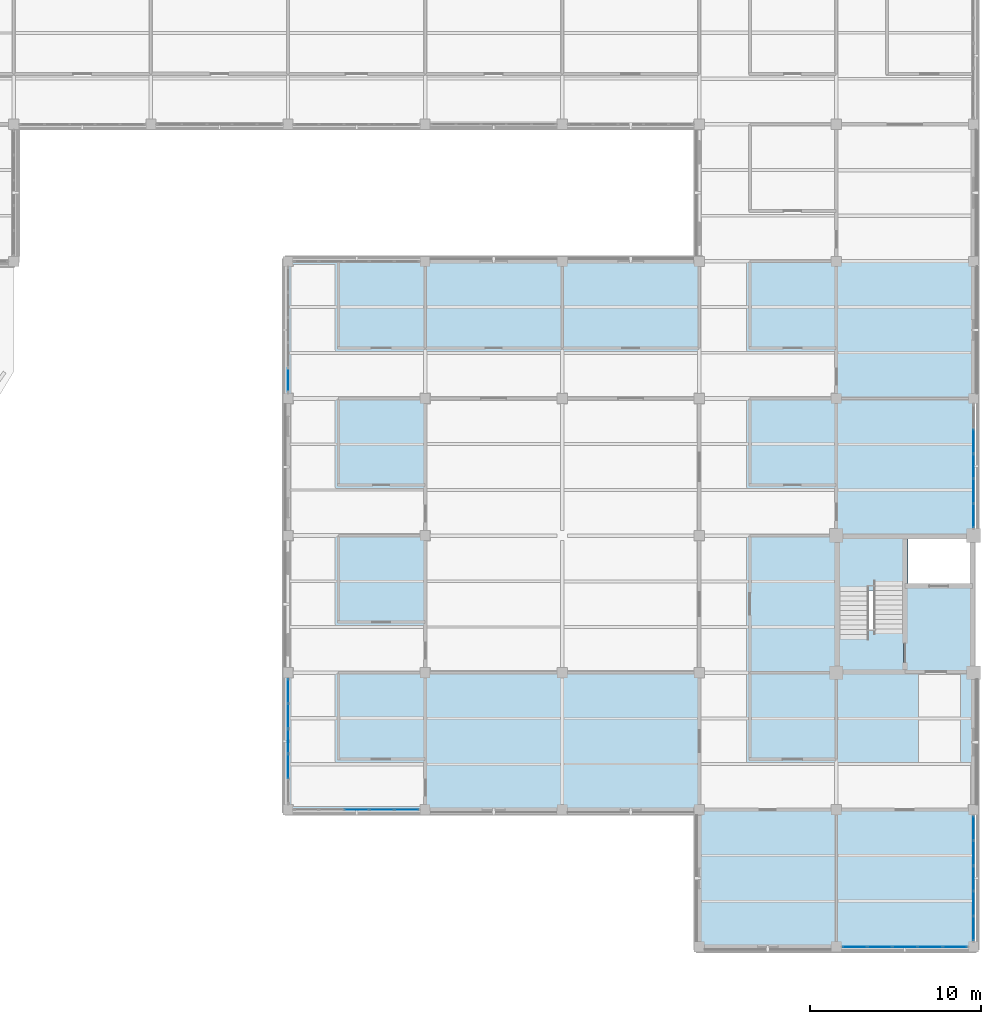
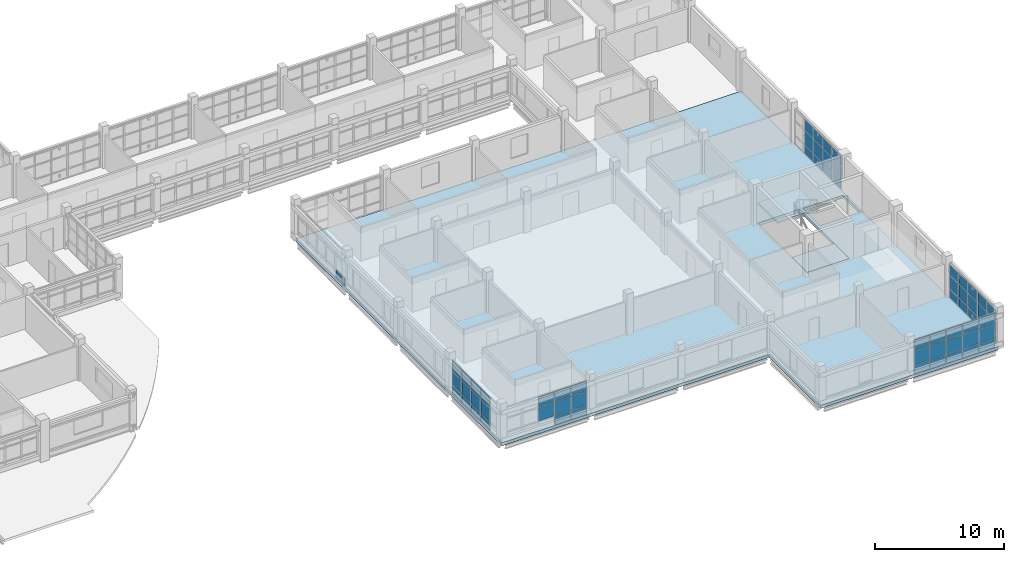
# One storey, part 77 of 126: 63 plates, 3 slabs, 7 elements without a shape of their own.
"""IFC4 building model written with IfcOpenShell, lengths in metres."""

from ifc_helpers import new_model, si_unit, derived_unit, direction, frame, origin, origin_2d, place, context, subcontext, project, spatial, polyline, rectangle, outline, extrude, material, layer, layer_set, type_object, element, aggregate, save


model = new_model("IFC4")

# Units and contexts
model_context = context("Model", 3, precision=1e-05, world=origin(), true_north=direction((0.0, 1.0)))
body_context = subcontext(model_context, "Body", "Model", "MODEL_VIEW")
ifc_project = project(units=[si_unit("LENGTHUNIT", "METRE"), si_unit("AREAUNIT", "SQUARE_METRE"), si_unit("VOLUMEUNIT", "CUBIC_METRE"), si_unit("PLANEANGLEUNIT", "RADIAN"), si_unit("MASSUNIT", "GRAM", prefix="KILO"), derived_unit("THERMALTRANSMITTANCEUNIT", [(si_unit("MASSUNIT", "GRAM", prefix="KILO"), 1), (si_unit("TIMEUNIT", "SECOND"), -3), (si_unit("THERMODYNAMICTEMPERATUREUNIT", "KELVIN"), -1)])], contexts=[model_context])

# Site, building, storey
site_placement = place(None, origin())
site = spatial("IfcSite", under=ifc_project, at=site_placement, CompositionType="ELEMENT")
building_placement = place(site_placement, origin())
building = spatial("IfcBuilding", under=site, at=building_placement, Name="Veyamyaing Civic Hall", CompositionType="ELEMENT")
storey_placement = place(building_placement, frame((0.0, 0.0, 9.89990234375)))
storey = spatial("IfcBuildingStorey", under=building, at=storey_placement, Name="L02", CompositionType="ELEMENT", Elevation=9.89990234375)

# Curtain wall, plate
ifc_material_1 = material(Name="Anodised aluminium 6063-T6", Category="aluminium")
ifc_layer_1 = layer(ifc_material_1, 0.159912109375, Name="Anodised aluminium 6063-T6")
ifc_layer_set_1 = layer_set([ifc_layer_1], Name="Anodised aluminium 6063-T6")
curtain_wall_type = type_object("IfcCurtainWallType", Name="CW-03", PredefinedType="NOTDEFINED", material=ifc_layer_set_1)
curtain_wall_1_placement = place(storey_placement, origin())
curtain_wall_1 = element("IfcCurtainWall", 1, at=curtain_wall_1_placement, inside=storey, type_object=curtain_wall_type, Name="Unitized curtain wall CW-03 L02 W 18.5", PredefinedType="NOTDEFINED")
ifc_material_2 = material(Name="Low-E insulated glass", Category="glass")
ifc_layer_2 = layer(ifc_material_2, 0.028076171875, Name="Low-E insulated glass")
ifc_layer_set_2 = layer_set([ifc_layer_2], Name="Low-E insulated glass")
plate_type_1 = type_object("IfcPlateType", Name="CWP-01", PredefinedType="CURTAIN_PANEL", material=ifc_layer_set_2)
plate_1_placement = place(storey_placement, frame((136.0, 33.080322265625, 0.06494140625), z_axis=(0.0, 0.0, 1.0), x_axis=(0.0, 1.0, 0.0)))
plate_1 = element("IfcPlate", 2, at=plate_1_placement, type_object=plate_type_1, Name="CW-03 panel 1.1", PredefinedType="CURTAIN_PANEL", context=body_context, shape_type="SweptSolid", body=[
    extrude(rectangle(XDim=1.37060546875, YDim=0.028076171875, at=origin_2d()), origin(), (0.0, 0.0, 1.0), 0.802490234375),
])
aggregate(curtain_wall_1, [plate_1])

# Curtain wall, plates
curtain_wall_2_placement = place(storey_placement, origin())
curtain_wall_2 = element("IfcCurtainWall", 3, at=curtain_wall_2_placement, inside=storey, type_object=curtain_wall_type, Name="Unitized curtain wall CW-03 L02 S 22.1", PredefinedType="NOTDEFINED")
plate_2_placement = place(storey_placement, frame((169.080322265625, 0.0, 0.06494140625), z_axis=(0.0, 0.0, 1.0), x_axis=(1.0, 0.0, 0.0)))
plate_2 = element("IfcPlate", 4, at=plate_2_placement, type_object=plate_type_1, Name="CW-03 panel 1.1", PredefinedType="CURTAIN_PANEL", context=body_context, shape_type="SweptSolid", body=[
    extrude(rectangle(XDim=1.37060546875, YDim=0.028076171875, at=origin_2d()), origin(), (0.0, 0.0, 1.0), 0.802490234375),
])
plate_3_placement = place(storey_placement, frame((169.080322265625, 0.0, 0.9326171875), z_axis=(0.0, 0.0, 1.0), x_axis=(1.0, 0.0, 0.0)))
plate_3 = element("IfcPlate", 5, at=plate_3_placement, type_object=plate_type_1, Name="CW-03 panel 1.2", PredefinedType="CURTAIN_PANEL", context=body_context, shape_type="SweptSolid", body=[
    extrude(rectangle(XDim=1.37060546875, YDim=0.028076171875, at=origin_2d()), origin(), (0.0, 0.0, 1.0), 1.31103515625),
])
plate_4_placement = place(storey_placement, frame((169.080322265625, 0.0, 2.30859375), z_axis=(0.0, 0.0, 1.0), x_axis=(1.0, 0.0, 0.0)))
plate_4 = element("IfcPlate", 6, at=plate_4_placement, type_object=plate_type_1, Name="CW-03 panel 1.3", PredefinedType="CURTAIN_PANEL", context=body_context, shape_type="SweptSolid", body=[
    extrude(rectangle(XDim=1.37060546875, YDim=0.028076171875, at=origin_2d()), origin(), (0.0, 0.0, 1.0), 0.973388671875),
])
plate_5_placement = place(storey_placement, frame((170.531982421875, 0.0, 0.06494140625), z_axis=(0.0, 0.0, 1.0), x_axis=(1.0, 0.0, 0.0)))
plate_5 = element("IfcPlate", 7, at=plate_5_placement, type_object=plate_type_1, Name="CW-03 panel 2.1", PredefinedType="CURTAIN_PANEL", context=body_context, shape_type="SweptSolid", body=[
    extrude(rectangle(XDim=1.403076171875, YDim=0.028076171875, at=origin_2d()), origin(), (0.0, 0.0, 1.0), 0.802490234375),
])
plate_6_placement = place(storey_placement, frame((170.531982421875, 0.0, 0.9326171875), z_axis=(0.0, 0.0, 1.0), x_axis=(1.0, 0.0, 0.0)))
plate_6 = element("IfcPlate", 8, at=plate_6_placement, type_object=plate_type_1, Name="CW-03 panel 2.2", PredefinedType="CURTAIN_PANEL", context=body_context, shape_type="SweptSolid", body=[
    extrude(rectangle(XDim=1.403076171875, YDim=0.028076171875, at=origin_2d()), origin(), (0.0, 0.0, 1.0), 1.31103515625),
])
plate_7_placement = place(storey_placement, frame((170.531982421875, 0.0, 2.30859375), z_axis=(0.0, 0.0, 1.0), x_axis=(1.0, 0.0, 0.0)))
plate_7 = element("IfcPlate", 9, at=plate_7_placement, type_object=plate_type_1, Name="CW-03 panel 2.3", PredefinedType="CURTAIN_PANEL", context=body_context, shape_type="SweptSolid", body=[
    extrude(rectangle(XDim=1.403076171875, YDim=0.028076171875, at=origin_2d()), origin(), (0.0, 0.0, 1.0), 0.973388671875),
])
plate_8_placement = place(storey_placement, frame((172.0, 0.0, 0.06494140625), z_axis=(0.0, 0.0, 1.0), x_axis=(1.0, 0.0, 0.0)))
plate_8 = element("IfcPlate", 10, at=plate_8_placement, type_object=plate_type_1, Name="CW-03 panel 3.1", PredefinedType="CURTAIN_PANEL", context=body_context, shape_type="SweptSolid", body=[
    extrude(rectangle(XDim=1.403076171875, YDim=0.028076171875, at=origin_2d()), origin(), (0.0, 0.0, 1.0), 0.802490234375),
])
plate_9_placement = place(storey_placement, frame((172.0, 0.0, 0.9326171875), z_axis=(0.0, 0.0, 1.0), x_axis=(1.0, 0.0, 0.0)))
plate_9 = element("IfcPlate", 11, at=plate_9_placement, type_object=plate_type_1, Name="CW-03 panel 3.2", PredefinedType="CURTAIN_PANEL", context=body_context, shape_type="SweptSolid", body=[
    extrude(rectangle(XDim=1.403076171875, YDim=0.028076171875, at=origin_2d()), origin(), (0.0, 0.0, 1.0), 1.31103515625),
])
plate_10_placement = place(storey_placement, frame((172.0, 0.0, 2.30859375), z_axis=(0.0, 0.0, 1.0), x_axis=(1.0, 0.0, 0.0)))
plate_10 = element("IfcPlate", 12, at=plate_10_placement, type_object=plate_type_1, Name="CW-03 panel 3.3", PredefinedType="CURTAIN_PANEL", context=body_context, shape_type="SweptSolid", body=[
    extrude(rectangle(XDim=1.403076171875, YDim=0.028076171875, at=origin_2d()), origin(), (0.0, 0.0, 1.0), 0.973388671875),
])
plate_11_placement = place(storey_placement, frame((173.468017578125, 0.0, 0.06494140625), z_axis=(0.0, 0.0, 1.0), x_axis=(1.0, 0.0, 0.0)))
plate_11 = element("IfcPlate", 13, at=plate_11_placement, type_object=plate_type_1, Name="CW-03 panel 4.1", PredefinedType="CURTAIN_PANEL", context=body_context, shape_type="SweptSolid", body=[
    extrude(rectangle(XDim=1.403076171875, YDim=0.028076171875, at=origin_2d()), origin(), (0.0, 0.0, 1.0), 0.802490234375),
])
plate_12_placement = place(storey_placement, frame((173.468017578125, 0.0, 0.9326171875), z_axis=(0.0, 0.0, 1.0), x_axis=(1.0, 0.0, 0.0)))
plate_12 = element("IfcPlate", 14, at=plate_12_placement, type_object=plate_type_1, Name="CW-03 panel 4.2", PredefinedType="CURTAIN_PANEL", context=body_context, shape_type="SweptSolid", body=[
    extrude(rectangle(XDim=1.403076171875, YDim=0.028076171875, at=origin_2d()), origin(), (0.0, 0.0, 1.0), 1.31103515625),
])
plate_13_placement = place(storey_placement, frame((173.468017578125, 0.0, 2.30859375), z_axis=(0.0, 0.0, 1.0), x_axis=(1.0, 0.0, 0.0)))
plate_13 = element("IfcPlate", 15, at=plate_13_placement, type_object=plate_type_1, Name="CW-03 panel 4.3", PredefinedType="CURTAIN_PANEL", context=body_context, shape_type="SweptSolid", body=[
    extrude(rectangle(XDim=1.403076171875, YDim=0.028076171875, at=origin_2d()), origin(), (0.0, 0.0, 1.0), 0.973388671875),
])
plate_14_placement = place(storey_placement, frame((174.919677734375, 0.0, 0.06494140625), z_axis=(0.0, 0.0, 1.0), x_axis=(1.0, 0.0, 0.0)))
plate_14 = element("IfcPlate", 16, at=plate_14_placement, type_object=plate_type_1, Name="CW-03 panel 5.1", PredefinedType="CURTAIN_PANEL", context=body_context, shape_type="SweptSolid", body=[
    extrude(rectangle(XDim=1.37060546875, YDim=0.028076171875, at=origin_2d()), origin(), (0.0, 0.0, 1.0), 0.802490234375),
])
plate_15_placement = place(storey_placement, frame((174.919677734375, 0.0, 0.9326171875), z_axis=(0.0, 0.0, 1.0), x_axis=(1.0, 0.0, 0.0)))
plate_15 = element("IfcPlate", 17, at=plate_15_placement, type_object=plate_type_1, Name="CW-03 panel 5.2", PredefinedType="CURTAIN_PANEL", context=body_context, shape_type="SweptSolid", body=[
    extrude(rectangle(XDim=1.37060546875, YDim=0.028076171875, at=origin_2d()), origin(), (0.0, 0.0, 1.0), 1.31103515625),
])
plate_16_placement = place(storey_placement, frame((174.919677734375, 0.0, 2.30859375), z_axis=(0.0, 0.0, 1.0), x_axis=(1.0, 0.0, 0.0)))
plate_16 = element("IfcPlate", 18, at=plate_16_placement, type_object=plate_type_1, Name="CW-03 panel 5.3", PredefinedType="CURTAIN_PANEL", context=body_context, shape_type="SweptSolid", body=[
    extrude(rectangle(XDim=1.37060546875, YDim=0.028076171875, at=origin_2d()), origin(), (0.0, 0.0, 1.0), 0.973388671875),
])
aggregate(curtain_wall_2, [plate_2, plate_3, plate_4, plate_5, plate_6, plate_7, plate_8, plate_9, plate_10, plate_11, plate_12, plate_13, plate_14, plate_15, plate_16])

curtain_wall_3_placement = place(storey_placement, origin())
curtain_wall_3 = element("IfcCurtainWall", 19, at=curtain_wall_3_placement, inside=storey, type_object=curtain_wall_type, Name="Unitized curtain wall CW-03 L02 E 22.1", PredefinedType="NOTDEFINED")
plate_17_placement = place(storey_placement, frame((176.0, 1.080322265625, 0.06494140625), z_axis=(0.0, 0.0, 1.0), x_axis=(0.0, 1.0, 0.0)))
plate_17 = element("IfcPlate", 20, at=plate_17_placement, type_object=plate_type_1, Name="CW-03 panel 1.1", PredefinedType="CURTAIN_PANEL", context=body_context, shape_type="SweptSolid", body=[
    extrude(rectangle(XDim=1.37060546875, YDim=0.028076171875, at=origin_2d()), origin(), (0.0, 0.0, 1.0), 0.802490234375),
])
plate_18_placement = place(storey_placement, frame((176.0, 1.080322265625, 0.9326171875), z_axis=(0.0, 0.0, 1.0), x_axis=(0.0, 1.0, 0.0)))
plate_18 = element("IfcPlate", 21, at=plate_18_placement, type_object=plate_type_1, Name="CW-03 panel 1.2", PredefinedType="CURTAIN_PANEL", context=body_context, shape_type="SweptSolid", body=[
    extrude(rectangle(XDim=1.37060546875, YDim=0.028076171875, at=origin_2d()), origin(), (0.0, 0.0, 1.0), 1.265380859375),
])
plate_19_placement = place(storey_placement, frame((176.0, 1.080322265625, 2.262939453125), z_axis=(0.0, 0.0, 1.0), x_axis=(0.0, 1.0, 0.0)))
plate_19 = element("IfcPlate", 22, at=plate_19_placement, type_object=plate_type_1, Name="CW-03 panel 1.3", PredefinedType="CURTAIN_PANEL", context=body_context, shape_type="SweptSolid", body=[
    extrude(rectangle(XDim=1.37060546875, YDim=0.028076171875, at=origin_2d()), origin(), (0.0, 0.0, 1.0), 0.9521484375),
])
plate_20_placement = place(storey_placement, frame((176.0, 2.531982421875, 0.06494140625), z_axis=(0.0, 0.0, 1.0), x_axis=(0.0, 1.0, 0.0)))
plate_20 = element("IfcPlate", 23, at=plate_20_placement, type_object=plate_type_1, Name="CW-03 panel 2.1", PredefinedType="CURTAIN_PANEL", context=body_context, shape_type="SweptSolid", body=[
    extrude(rectangle(XDim=1.403076171875, YDim=0.028076171875, at=origin_2d()), origin(), (0.0, 0.0, 1.0), 0.802490234375),
])
plate_21_placement = place(storey_placement, frame((176.0, 2.531982421875, 0.9326171875), z_axis=(0.0, 0.0, 1.0), x_axis=(0.0, 1.0, 0.0)))
plate_21 = element("IfcPlate", 24, at=plate_21_placement, type_object=plate_type_1, Name="CW-03 panel 2.2", PredefinedType="CURTAIN_PANEL", context=body_context, shape_type="SweptSolid", body=[
    extrude(rectangle(XDim=1.403076171875, YDim=0.028076171875, at=origin_2d()), origin(), (0.0, 0.0, 1.0), 1.265380859375),
])
plate_22_placement = place(storey_placement, frame((176.0, 2.531982421875, 2.262939453125), z_axis=(0.0, 0.0, 1.0), x_axis=(0.0, 1.0, 0.0)))
plate_22 = element("IfcPlate", 25, at=plate_22_placement, type_object=plate_type_1, Name="CW-03 panel 2.3", PredefinedType="CURTAIN_PANEL", context=body_context, shape_type="SweptSolid", body=[
    extrude(rectangle(XDim=1.403076171875, YDim=0.028076171875, at=origin_2d()), origin(), (0.0, 0.0, 1.0), 0.9521484375),
])
plate_23_placement = place(storey_placement, frame((176.0, 4.0, 0.06494140625), z_axis=(0.0, 0.0, 1.0), x_axis=(0.0, 1.0, 0.0)))
plate_23 = element("IfcPlate", 26, at=plate_23_placement, type_object=plate_type_1, Name="CW-03 panel 3.1", PredefinedType="CURTAIN_PANEL", context=body_context, shape_type="SweptSolid", body=[
    extrude(rectangle(XDim=1.403076171875, YDim=0.028076171875, at=origin_2d()), origin(), (0.0, 0.0, 1.0), 0.802490234375),
])
plate_24_placement = place(storey_placement, frame((176.0, 4.0, 0.9326171875), z_axis=(0.0, 0.0, 1.0), x_axis=(0.0, 1.0, 0.0)))
plate_24 = element("IfcPlate", 27, at=plate_24_placement, type_object=plate_type_1, Name="CW-03 panel 3.2", PredefinedType="CURTAIN_PANEL", context=body_context, shape_type="SweptSolid", body=[
    extrude(rectangle(XDim=1.403076171875, YDim=0.028076171875, at=origin_2d()), origin(), (0.0, 0.0, 1.0), 1.265380859375),
])
plate_25_placement = place(storey_placement, frame((176.0, 4.0, 2.262939453125), z_axis=(0.0, 0.0, 1.0), x_axis=(0.0, 1.0, 0.0)))
plate_25 = element("IfcPlate", 28, at=plate_25_placement, type_object=plate_type_1, Name="CW-03 panel 3.3", PredefinedType="CURTAIN_PANEL", context=body_context, shape_type="SweptSolid", body=[
    extrude(rectangle(XDim=1.403076171875, YDim=0.028076171875, at=origin_2d()), origin(), (0.0, 0.0, 1.0), 0.9521484375),
])
plate_26_placement = place(storey_placement, frame((176.0, 5.468017578125, 0.06494140625), z_axis=(0.0, 0.0, 1.0), x_axis=(0.0, 1.0, 0.0)))
plate_26 = element("IfcPlate", 29, at=plate_26_placement, type_object=plate_type_1, Name="CW-03 panel 4.1", PredefinedType="CURTAIN_PANEL", context=body_context, shape_type="SweptSolid", body=[
    extrude(rectangle(XDim=1.403076171875, YDim=0.028076171875, at=origin_2d()), origin(), (0.0, 0.0, 1.0), 0.802490234375),
])
plate_27_placement = place(storey_placement, frame((176.0, 5.468017578125, 0.9326171875), z_axis=(0.0, 0.0, 1.0), x_axis=(0.0, 1.0, 0.0)))
plate_27 = element("IfcPlate", 30, at=plate_27_placement, type_object=plate_type_1, Name="CW-03 panel 4.2", PredefinedType="CURTAIN_PANEL", context=body_context, shape_type="SweptSolid", body=[
    extrude(rectangle(XDim=1.403076171875, YDim=0.028076171875, at=origin_2d()), origin(), (0.0, 0.0, 1.0), 1.265380859375),
])
plate_28_placement = place(storey_placement, frame((176.0, 5.468017578125, 2.262939453125), z_axis=(0.0, 0.0, 1.0), x_axis=(0.0, 1.0, 0.0)))
plate_28 = element("IfcPlate", 31, at=plate_28_placement, type_object=plate_type_1, Name="CW-03 panel 4.3", PredefinedType="CURTAIN_PANEL", context=body_context, shape_type="SweptSolid", body=[
    extrude(rectangle(XDim=1.403076171875, YDim=0.028076171875, at=origin_2d()), origin(), (0.0, 0.0, 1.0), 0.9521484375),
])
plate_29_placement = place(storey_placement, frame((176.0, 6.919677734375, 0.06494140625), z_axis=(0.0, 0.0, 1.0), x_axis=(0.0, 1.0, 0.0)))
plate_29 = element("IfcPlate", 32, at=plate_29_placement, type_object=plate_type_1, Name="CW-03 panel 5.1", PredefinedType="CURTAIN_PANEL", context=body_context, shape_type="SweptSolid", body=[
    extrude(rectangle(XDim=1.37060546875, YDim=0.028076171875, at=origin_2d()), origin(), (0.0, 0.0, 1.0), 0.802490234375),
])
plate_30_placement = place(storey_placement, frame((176.0, 6.919677734375, 0.9326171875), z_axis=(0.0, 0.0, 1.0), x_axis=(0.0, 1.0, 0.0)))
plate_30 = element("IfcPlate", 33, at=plate_30_placement, type_object=plate_type_1, Name="CW-03 panel 5.2", PredefinedType="CURTAIN_PANEL", context=body_context, shape_type="SweptSolid", body=[
    extrude(rectangle(XDim=1.37060546875, YDim=0.028076171875, at=origin_2d()), origin(), (0.0, 0.0, 1.0), 1.265380859375),
])
plate_31_placement = place(storey_placement, frame((176.0, 6.919677734375, 2.262939453125), z_axis=(0.0, 0.0, 1.0), x_axis=(0.0, 1.0, 0.0)))
plate_31 = element("IfcPlate", 34, at=plate_31_placement, type_object=plate_type_1, Name="CW-03 panel 5.3", PredefinedType="CURTAIN_PANEL", context=body_context, shape_type="SweptSolid", body=[
    extrude(rectangle(XDim=1.37060546875, YDim=0.028076171875, at=origin_2d()), origin(), (0.0, 0.0, 1.0), 0.9521484375),
])
aggregate(curtain_wall_3, [plate_17, plate_18, plate_19, plate_20, plate_21, plate_22, plate_23, plate_24, plate_25, plate_26, plate_27, plate_28, plate_29, plate_30, plate_31])

curtain_wall_4_placement = place(storey_placement, origin())
curtain_wall_4 = element("IfcCurtainWall", 35, at=curtain_wall_4_placement, inside=storey, type_object=curtain_wall_type, Name="Unitized curtain wall CW-03 L02 S 18.2", PredefinedType="NOTDEFINED")
ifc_layer_3 = layer(ifc_material_2, 0.02392578125, Name="Low-E insulated glass")
ifc_layer_set_3 = layer_set([ifc_layer_3], Name="Low-E insulated glass")
plate_type_2 = type_object("IfcPlateType", Name="CWP-04", PredefinedType="CURTAIN_PANEL", material=ifc_layer_set_3)
plate_32_placement = place(storey_placement, frame((140.0, 8.0, 0.9326171875), z_axis=(0.0, 0.0, 1.0), x_axis=(1.0, 0.0, 0.0)))
plate_32 = element("IfcPlate", 36, at=plate_32_placement, type_object=plate_type_2, Name="CW-03 panel 3.2", PredefinedType="CURTAIN_PANEL", context=body_context, shape_type="SweptSolid", body=[
    extrude(rectangle(XDim=1.403076171875, YDim=0.02392578125, at=origin_2d()), origin(), (0.0, 0.0, 1.0), 1.265380859375),
])
plate_33_placement = place(storey_placement, frame((140.0, 8.0, 2.262939453125), z_axis=(0.0, 0.0, 1.0), x_axis=(1.0, 0.0, 0.0)))
plate_33 = element("IfcPlate", 37, at=plate_33_placement, type_object=plate_type_2, Name="CW-03 panel 3.3", PredefinedType="CURTAIN_PANEL", context=body_context, shape_type="SweptSolid", body=[
    extrude(rectangle(XDim=1.403076171875, YDim=0.02392578125, at=origin_2d()), origin(), (0.0, 0.0, 1.0), 0.9521484375),
])
plate_34_placement = place(storey_placement, frame((141.468017578125, 8.0, 0.06494140625), z_axis=(0.0, 0.0, 1.0), x_axis=(1.0, 0.0, 0.0)))
plate_34 = element("IfcPlate", 38, at=plate_34_placement, type_object=plate_type_2, Name="CW-03 panel 4.1", PredefinedType="CURTAIN_PANEL", context=body_context, shape_type="SweptSolid", body=[
    extrude(rectangle(XDim=1.403076171875, YDim=0.02392578125, at=origin_2d()), origin(), (0.0, 0.0, 1.0), 0.802490234375),
])
plate_35_placement = place(storey_placement, frame((141.468017578125, 8.0, 0.9326171875), z_axis=(0.0, 0.0, 1.0), x_axis=(1.0, 0.0, 0.0)))
plate_35 = element("IfcPlate", 39, at=plate_35_placement, type_object=plate_type_2, Name="CW-03 panel 4.2", PredefinedType="CURTAIN_PANEL", context=body_context, shape_type="SweptSolid", body=[
    extrude(rectangle(XDim=1.403076171875, YDim=0.02392578125, at=origin_2d()), origin(), (0.0, 0.0, 1.0), 1.265380859375),
])
plate_36_placement = place(storey_placement, frame((141.468017578125, 8.0, 2.262939453125), z_axis=(0.0, 0.0, 1.0), x_axis=(1.0, 0.0, 0.0)))
plate_36 = element("IfcPlate", 40, at=plate_36_placement, type_object=plate_type_2, Name="CW-03 panel 4.3", PredefinedType="CURTAIN_PANEL", context=body_context, shape_type="SweptSolid", body=[
    extrude(rectangle(XDim=1.403076171875, YDim=0.02392578125, at=origin_2d()), origin(), (0.0, 0.0, 1.0), 0.9521484375),
])
plate_37_placement = place(storey_placement, frame((142.919677734375, 8.0, 0.06494140625), z_axis=(0.0, 0.0, 1.0), x_axis=(1.0, 0.0, 0.0)))
plate_37 = element("IfcPlate", 41, at=plate_37_placement, type_object=plate_type_2, Name="CW-03 panel 5.1", PredefinedType="CURTAIN_PANEL", context=body_context, shape_type="SweptSolid", body=[
    extrude(rectangle(XDim=1.37060546875, YDim=0.02392578125, at=origin_2d()), origin(), (0.0, 0.0, 1.0), 0.802490234375),
])
plate_38_placement = place(storey_placement, frame((142.919677734375, 8.0, 0.9326171875), z_axis=(0.0, 0.0, 1.0), x_axis=(1.0, 0.0, 0.0)))
plate_38 = element("IfcPlate", 42, at=plate_38_placement, type_object=plate_type_2, Name="CW-03 panel 5.2", PredefinedType="CURTAIN_PANEL", context=body_context, shape_type="SweptSolid", body=[
    extrude(rectangle(XDim=1.37060546875, YDim=0.02392578125, at=origin_2d()), origin(), (0.0, 0.0, 1.0), 1.265380859375),
])
plate_39_placement = place(storey_placement, frame((142.919677734375, 8.0, 2.262939453125), z_axis=(0.0, 0.0, 1.0), x_axis=(1.0, 0.0, 0.0)))
plate_39 = element("IfcPlate", 43, at=plate_39_placement, type_object=plate_type_2, Name="CW-03 panel 5.3", PredefinedType="CURTAIN_PANEL", context=body_context, shape_type="SweptSolid", body=[
    extrude(rectangle(XDim=1.37060546875, YDim=0.02392578125, at=origin_2d()), origin(), (0.0, 0.0, 1.0), 0.9521484375),
])
aggregate(curtain_wall_4, [plate_32, plate_33, plate_34, plate_35, plate_36, plate_37, plate_38, plate_39])

curtain_wall_5_placement = place(storey_placement, origin())
curtain_wall_5 = element("IfcCurtainWall", 44, at=curtain_wall_5_placement, inside=storey, type_object=curtain_wall_type, Name="Unitized curtain wall CW-03 L02 W 18.2", PredefinedType="NOTDEFINED")
plate_40_placement = place(storey_placement, frame((136.0, 10.531982421875, 0.06494140625), z_axis=(0.0, 0.0, 1.0), x_axis=(0.0, 1.0, 0.0)))
plate_40 = element("IfcPlate", 45, at=plate_40_placement, type_object=plate_type_2, Name="CW-03 panel 2.1", PredefinedType="CURTAIN_PANEL", context=body_context, shape_type="SweptSolid", body=[
    extrude(rectangle(XDim=1.403076171875, YDim=0.02392578125, at=origin_2d()), origin(), (0.0, 0.0, 1.0), 0.802490234375),
])
plate_41_placement = place(storey_placement, frame((136.0, 10.531982421875, 0.9326171875), z_axis=(0.0, 0.0, 1.0), x_axis=(0.0, 1.0, 0.0)))
plate_41 = element("IfcPlate", 46, at=plate_41_placement, type_object=plate_type_2, Name="CW-03 panel 2.2", PredefinedType="CURTAIN_PANEL", context=body_context, shape_type="SweptSolid", body=[
    extrude(rectangle(XDim=1.403076171875, YDim=0.02392578125, at=origin_2d()), origin(), (0.0, 0.0, 1.0), 1.265380859375),
])
plate_42_placement = place(storey_placement, frame((136.0, 10.531982421875, 2.262939453125), z_axis=(0.0, 0.0, 1.0), x_axis=(0.0, 1.0, 0.0)))
plate_42 = element("IfcPlate", 47, at=plate_42_placement, type_object=plate_type_2, Name="CW-03 panel 2.3", PredefinedType="CURTAIN_PANEL", context=body_context, shape_type="SweptSolid", body=[
    extrude(rectangle(XDim=1.403076171875, YDim=0.02392578125, at=origin_2d()), origin(), (0.0, 0.0, 1.0), 0.9521484375),
])
plate_43_placement = place(storey_placement, frame((136.0, 12.0, 0.06494140625), z_axis=(0.0, 0.0, 1.0), x_axis=(0.0, 1.0, 0.0)))
plate_43 = element("IfcPlate", 48, at=plate_43_placement, type_object=plate_type_2, Name="CW-03 panel 3.1", PredefinedType="CURTAIN_PANEL", context=body_context, shape_type="SweptSolid", body=[
    extrude(rectangle(XDim=1.403076171875, YDim=0.02392578125, at=origin_2d()), origin(), (0.0, 0.0, 1.0), 0.802490234375),
])
plate_44_placement = place(storey_placement, frame((136.0, 12.0, 0.9326171875), z_axis=(0.0, 0.0, 1.0), x_axis=(0.0, 1.0, 0.0)))
plate_44 = element("IfcPlate", 49, at=plate_44_placement, type_object=plate_type_2, Name="CW-03 panel 3.2", PredefinedType="CURTAIN_PANEL", context=body_context, shape_type="SweptSolid", body=[
    extrude(rectangle(XDim=1.403076171875, YDim=0.02392578125, at=origin_2d()), origin(), (0.0, 0.0, 1.0), 1.265380859375),
])
plate_45_placement = place(storey_placement, frame((136.0, 12.0, 2.262939453125), z_axis=(0.0, 0.0, 1.0), x_axis=(0.0, 1.0, 0.0)))
plate_45 = element("IfcPlate", 50, at=plate_45_placement, type_object=plate_type_2, Name="CW-03 panel 3.3", PredefinedType="CURTAIN_PANEL", context=body_context, shape_type="SweptSolid", body=[
    extrude(rectangle(XDim=1.403076171875, YDim=0.02392578125, at=origin_2d()), origin(), (0.0, 0.0, 1.0), 0.9521484375),
])
plate_46_placement = place(storey_placement, frame((136.0, 13.468017578125, 0.06494140625), z_axis=(0.0, 0.0, 1.0), x_axis=(0.0, 1.0, 0.0)))
plate_46 = element("IfcPlate", 51, at=plate_46_placement, type_object=plate_type_2, Name="CW-03 panel 4.1", PredefinedType="CURTAIN_PANEL", context=body_context, shape_type="SweptSolid", body=[
    extrude(rectangle(XDim=1.403076171875, YDim=0.02392578125, at=origin_2d()), origin(), (0.0, 0.0, 1.0), 0.802490234375),
])
plate_47_placement = place(storey_placement, frame((136.0, 13.468017578125, 0.9326171875), z_axis=(0.0, 0.0, 1.0), x_axis=(0.0, 1.0, 0.0)))
plate_47 = element("IfcPlate", 52, at=plate_47_placement, type_object=plate_type_2, Name="CW-03 panel 4.2", PredefinedType="CURTAIN_PANEL", context=body_context, shape_type="SweptSolid", body=[
    extrude(rectangle(XDim=1.403076171875, YDim=0.02392578125, at=origin_2d()), origin(), (0.0, 0.0, 1.0), 1.265380859375),
])
plate_48_placement = place(storey_placement, frame((136.0, 13.468017578125, 2.262939453125), z_axis=(0.0, 0.0, 1.0), x_axis=(0.0, 1.0, 0.0)))
plate_48 = element("IfcPlate", 53, at=plate_48_placement, type_object=plate_type_2, Name="CW-03 panel 4.3", PredefinedType="CURTAIN_PANEL", context=body_context, shape_type="SweptSolid", body=[
    extrude(rectangle(XDim=1.403076171875, YDim=0.02392578125, at=origin_2d()), origin(), (0.0, 0.0, 1.0), 0.9521484375),
])
plate_49_placement = place(storey_placement, frame((136.0, 14.919677734375, 0.06494140625), z_axis=(0.0, 0.0, 1.0), x_axis=(0.0, 1.0, 0.0)))
plate_49 = element("IfcPlate", 54, at=plate_49_placement, type_object=plate_type_2, Name="CW-03 panel 5.1", PredefinedType="CURTAIN_PANEL", context=body_context, shape_type="SweptSolid", body=[
    extrude(rectangle(XDim=1.37060546875, YDim=0.02392578125, at=origin_2d()), origin(), (0.0, 0.0, 1.0), 0.802490234375),
])
plate_50_placement = place(storey_placement, frame((136.0, 14.919677734375, 0.9326171875), z_axis=(0.0, 0.0, 1.0), x_axis=(0.0, 1.0, 0.0)))
plate_50 = element("IfcPlate", 55, at=plate_50_placement, type_object=plate_type_2, Name="CW-03 panel 5.2", PredefinedType="CURTAIN_PANEL", context=body_context, shape_type="SweptSolid", body=[
    extrude(rectangle(XDim=1.37060546875, YDim=0.02392578125, at=origin_2d()), origin(), (0.0, 0.0, 1.0), 1.265380859375),
])
plate_51_placement = place(storey_placement, frame((136.0, 14.919677734375, 2.262939453125), z_axis=(0.0, 0.0, 1.0), x_axis=(0.0, 1.0, 0.0)))
plate_51 = element("IfcPlate", 56, at=plate_51_placement, type_object=plate_type_2, Name="CW-03 panel 5.3", PredefinedType="CURTAIN_PANEL", context=body_context, shape_type="SweptSolid", body=[
    extrude(rectangle(XDim=1.37060546875, YDim=0.02392578125, at=origin_2d()), origin(), (0.0, 0.0, 1.0), 0.9521484375),
])
aggregate(curtain_wall_5, [plate_40, plate_41, plate_42, plate_43, plate_44, plate_45, plate_46, plate_47, plate_48, plate_49, plate_50, plate_51])

curtain_wall_6_placement = place(storey_placement, origin())
curtain_wall_6 = element("IfcCurtainWall", 57, at=curtain_wall_6_placement, inside=storey, type_object=curtain_wall_type, Name="Unitized curtain wall CW-03 L02 E 22.4", PredefinedType="NOTDEFINED")
plate_52_placement = place(storey_placement, frame((176.0, 25.170166015625, 0.06494140625), z_axis=(0.0, 0.0, 1.0), x_axis=(0.0, 1.0, 0.0)))
plate_52 = element("IfcPlate", 58, at=plate_52_placement, type_object=plate_type_2, Name="CW-03 panel 1.1", PredefinedType="CURTAIN_PANEL", context=body_context, shape_type="SweptSolid", body=[
    extrude(rectangle(XDim=1.3505859375, YDim=0.02392578125, at=origin_2d()), origin(), (0.0, 0.0, 1.0), 0.802490234375),
])
plate_53_placement = place(storey_placement, frame((176.0, 25.170166015625, 0.9326171875), z_axis=(0.0, 0.0, 1.0), x_axis=(0.0, 1.0, 0.0)))
plate_53 = element("IfcPlate", 59, at=plate_53_placement, type_object=plate_type_2, Name="CW-03 panel 1.2", PredefinedType="CURTAIN_PANEL", context=body_context, shape_type="SweptSolid", body=[
    extrude(rectangle(XDim=1.3505859375, YDim=0.02392578125, at=origin_2d()), origin(), (0.0, 0.0, 1.0), 1.31103515625),
])
plate_54_placement = place(storey_placement, frame((176.0, 25.170166015625, 2.30859375), z_axis=(0.0, 0.0, 1.0), x_axis=(0.0, 1.0, 0.0)))
plate_54 = element("IfcPlate", 60, at=plate_54_placement, type_object=plate_type_2, Name="CW-03 panel 1.3", PredefinedType="CURTAIN_PANEL", context=body_context, shape_type="SweptSolid", body=[
    extrude(rectangle(XDim=1.3505859375, YDim=0.02392578125, at=origin_2d()), origin(), (0.0, 0.0, 1.0), 0.973388671875),
])
plate_55_placement = place(storey_placement, frame((176.0, 26.60205078125, 0.06494140625), z_axis=(0.0, 0.0, 1.0), x_axis=(0.0, 1.0, 0.0)))
plate_55 = element("IfcPlate", 61, at=plate_55_placement, type_object=plate_type_2, Name="CW-03 panel 2.1", PredefinedType="CURTAIN_PANEL", context=body_context, shape_type="SweptSolid", body=[
    extrude(rectangle(XDim=1.383056640625, YDim=0.02392578125, at=origin_2d()), origin(), (0.0, 0.0, 1.0), 0.802490234375),
])
plate_56_placement = place(storey_placement, frame((176.0, 26.60205078125, 0.9326171875), z_axis=(0.0, 0.0, 1.0), x_axis=(0.0, 1.0, 0.0)))
plate_56 = element("IfcPlate", 62, at=plate_56_placement, type_object=plate_type_2, Name="CW-03 panel 2.2", PredefinedType="CURTAIN_PANEL", context=body_context, shape_type="SweptSolid", body=[
    extrude(rectangle(XDim=1.383056640625, YDim=0.02392578125, at=origin_2d()), origin(), (0.0, 0.0, 1.0), 1.31103515625),
])
plate_57_placement = place(storey_placement, frame((176.0, 26.60205078125, 2.30859375), z_axis=(0.0, 0.0, 1.0), x_axis=(0.0, 1.0, 0.0)))
plate_57 = element("IfcPlate", 63, at=plate_57_placement, type_object=plate_type_2, Name="CW-03 panel 2.3", PredefinedType="CURTAIN_PANEL", context=body_context, shape_type="SweptSolid", body=[
    extrude(rectangle(XDim=1.383056640625, YDim=0.02392578125, at=origin_2d()), origin(), (0.0, 0.0, 1.0), 0.973388671875),
])
plate_58_placement = place(storey_placement, frame((176.0, 28.050048828125, 0.06494140625), z_axis=(0.0, 0.0, 1.0), x_axis=(0.0, 1.0, 0.0)))
plate_58 = element("IfcPlate", 64, at=plate_58_placement, type_object=plate_type_2, Name="CW-03 panel 3.1", PredefinedType="CURTAIN_PANEL", context=body_context, shape_type="SweptSolid", body=[
    extrude(rectangle(XDim=1.383056640625, YDim=0.02392578125, at=origin_2d()), origin(), (0.0, 0.0, 1.0), 0.802490234375),
])
plate_59_placement = place(storey_placement, frame((176.0, 28.050048828125, 0.9326171875), z_axis=(0.0, 0.0, 1.0), x_axis=(0.0, 1.0, 0.0)))
plate_59 = element("IfcPlate", 65, at=plate_59_placement, type_object=plate_type_2, Name="CW-03 panel 3.2", PredefinedType="CURTAIN_PANEL", context=body_context, shape_type="SweptSolid", body=[
    extrude(rectangle(XDim=1.383056640625, YDim=0.02392578125, at=origin_2d()), origin(), (0.0, 0.0, 1.0), 1.31103515625),
])
plate_60_placement = place(storey_placement, frame((176.0, 28.050048828125, 2.30859375), z_axis=(0.0, 0.0, 1.0), x_axis=(0.0, 1.0, 0.0)))
plate_60 = element("IfcPlate", 66, at=plate_60_placement, type_object=plate_type_2, Name="CW-03 panel 3.3", PredefinedType="CURTAIN_PANEL", context=body_context, shape_type="SweptSolid", body=[
    extrude(rectangle(XDim=1.383056640625, YDim=0.02392578125, at=origin_2d()), origin(), (0.0, 0.0, 1.0), 0.973388671875),
])
plate_61_placement = place(storey_placement, frame((176.0, 29.498046875, 0.06494140625), z_axis=(0.0, 0.0, 1.0), x_axis=(0.0, 1.0, 0.0)))
plate_61 = element("IfcPlate", 67, at=plate_61_placement, type_object=plate_type_2, Name="CW-03 panel 4.1", PredefinedType="CURTAIN_PANEL", context=body_context, shape_type="SweptSolid", body=[
    extrude(rectangle(XDim=1.383056640625, YDim=0.02392578125, at=origin_2d()), origin(), (0.0, 0.0, 1.0), 0.802490234375),
])
plate_62_placement = place(storey_placement, frame((176.0, 29.498046875, 0.9326171875), z_axis=(0.0, 0.0, 1.0), x_axis=(0.0, 1.0, 0.0)))
plate_62 = element("IfcPlate", 68, at=plate_62_placement, type_object=plate_type_2, Name="CW-03 panel 4.2", PredefinedType="CURTAIN_PANEL", context=body_context, shape_type="SweptSolid", body=[
    extrude(rectangle(XDim=1.383056640625, YDim=0.02392578125, at=origin_2d()), origin(), (0.0, 0.0, 1.0), 1.31103515625),
])
plate_63_placement = place(storey_placement, frame((176.0, 29.498046875, 2.30859375), z_axis=(0.0, 0.0, 1.0), x_axis=(0.0, 1.0, 0.0)))
plate_63 = element("IfcPlate", 69, at=plate_63_placement, type_object=plate_type_2, Name="CW-03 panel 4.3", PredefinedType="CURTAIN_PANEL", context=body_context, shape_type="SweptSolid", body=[
    extrude(rectangle(XDim=1.383056640625, YDim=0.02392578125, at=origin_2d()), origin(), (0.0, 0.0, 1.0), 0.973388671875),
])
aggregate(curtain_wall_6, [plate_52, plate_53, plate_54, plate_55, plate_56, plate_57, plate_58, plate_59, plate_60, plate_61, plate_62, plate_63])

# Slabs
ifc_material_3 = material(Name="Concrete C40/50", Category="concrete")
ifc_layer_4 = layer(ifc_material_3, 0.284912109375, Name="Concrete C40/50")
ifc_layer_set_4 = layer_set([ifc_layer_4], Name="Concrete C40/50")
slab_type_1 = type_object("IfcSlabType", Name="SL-04", PredefinedType="FLOOR", material=ifc_layer_set_4)
slab_1_placement = place(storey_placement, frame((0.0, 0.0, -0.284912109375)))
element("IfcSlab", 70, at=slab_1_placement, inside=storey, type_object=slab_type_1, Name="Floor slab SL-04 L02 V3.1", PredefinedType="FLOOR", context=body_context, shape_type="SweptSolid", body=[
    extrude(outline(polyline([(136.0, 40.0), (176.0, 40.0), (176.0, 0.0), (160.0, 0.0), (160.0, 8.0), (136.0, 8.0), (136.0, 40.0)]), holes=[polyline([(171.909912109375, 23.860107421875), (168.139892578125, 23.860107421875), (168.139892578125, 16.139892578125), (171.909912109375, 16.139892578125), (171.909912109375, 23.860107421875)]), polyline([(175.820068359375, 23.820068359375), (172.179931640625, 23.820068359375), (172.179931640625, 21.179931640625), (175.820068359375, 21.179931640625), (175.820068359375, 23.820068359375)])]), origin(), (0.0, 0.0, 1.0), 0.284912109375),
])
ifc_layer_5 = layer(ifc_material_3, 0.199951171875, Name="Concrete C40/50")
ifc_layer_set_5 = layer_set([ifc_layer_5], Name="Concrete C40/50")
slab_type_2 = type_object("IfcSlabType", Name="SL-16", PredefinedType="FLOOR", material=ifc_layer_set_5)
slab_2_placement = place(storey_placement, frame((0.0, 0.0, -0.199951171875)))
element("IfcSlab", 71, at=slab_2_placement, inside=storey, type_object=slab_type_2, Name="Stair floor landing slab SL-16 ST-10 L02", PredefinedType="FLOOR", context=body_context, shape_type="SweptSolid", body=[
    extrude(outline(polyline([(168.139892578125, 16.139892578125), (171.909912109375, 16.139892578125), (171.909912109375, 18.52001953125), (168.139892578125, 18.52001953125), (168.139892578125, 16.139892578125)])), origin(), (0.0, 0.0, 1.0), 0.199951171875),
])

# Stair, slab
stair_type = type_object("IfcStairType", Name="ST-D", PredefinedType="HALF_TURN_STAIR", material=ifc_material_3)
stair_placement = place(storey_placement, origin())
stair = element("IfcStair", 72, at=stair_placement, inside=storey, type_object=stair_type, Name="Protected exit stair ST-10 L02", PredefinedType="HALF_TURN_STAIR")
ifc_layer_6 = layer(ifc_material_3, 0.195068359375, Name="Concrete C40/50")
ifc_layer_set_6 = layer_set([ifc_layer_6], Name="Concrete C40/50")
slab_type_3 = type_object("IfcSlabType", Name="SL-LND", PredefinedType="LANDING", material=ifc_layer_set_6)
slab_3_placement = place(storey_placement, frame((0.0, 0.0, 1.78515625)))
slab_3 = element("IfcSlab", 73, at=slab_3_placement, type_object=slab_type_3, Name="ST-10 landing 1", PredefinedType="LANDING", context=body_context, shape_type="SweptSolid", body=[
    extrude(outline(polyline([(168.139892578125, 20.7900390625), (171.909912109375, 20.7900390625), (171.909912109375, 23.860107421875), (168.139892578125, 23.860107421875), (168.139892578125, 20.7900390625)])), origin(), (0.0, 0.0, 1.0), 0.19482421875),
])
aggregate(stair, [slab_3])

save(model, "model.ifc")
